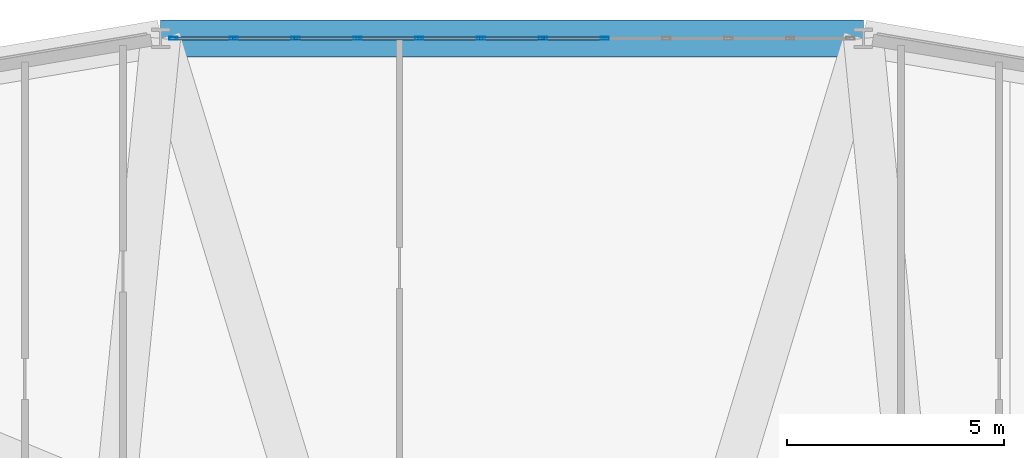
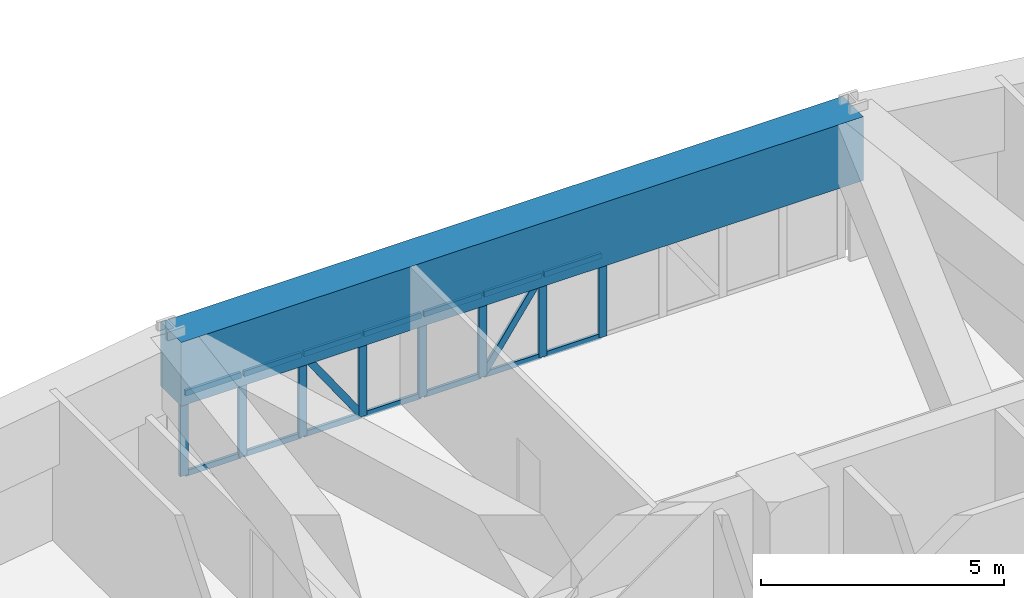
# One storey, part 11 of 20: 24 members, 1 beam, 1 element without a shape of its own.
"""IFC4 building model written with IfcOpenShell, lengths in metres."""

from ifc_helpers import new_model, si_unit, derived_unit, direction, frame, origin, origin_2d, place, context, subcontext, project, spatial, rectangle, hollow_rectangle, extrude, source, transform, mapped, material, layer, layer_set, material_profile, profile_set, type_object, element, aggregate, save


model = new_model("IFC4")

# Units and contexts
model_context = context("Model", 3, precision=1e-05, world=origin(), true_north=direction((0.0, 1.0)))
body_context = subcontext(model_context, "Body", "Model", "MODEL_VIEW")
ifc_project = project(units=[si_unit("LENGTHUNIT", "METRE"), si_unit("AREAUNIT", "SQUARE_METRE"), si_unit("VOLUMEUNIT", "CUBIC_METRE"), si_unit("PLANEANGLEUNIT", "RADIAN"), si_unit("MASSUNIT", "GRAM", prefix="KILO"), derived_unit("THERMALTRANSMITTANCEUNIT", [(si_unit("POWERUNIT", "WATT"), 1), (si_unit("LENGTHUNIT", "METRE"), -2), (si_unit("THERMODYNAMICTEMPERATUREUNIT", "KELVIN"), -1)])], contexts=[model_context])

# Site, building, storey
site_placement = place(None, origin())
site = spatial("IfcSite", under=ifc_project, at=site_placement, CompositionType="ELEMENT")
building_placement = place(site_placement, origin())
building = spatial("IfcBuilding", under=site, at=building_placement, Name="Korsvarv Bourse and Concert Hall", CompositionType="ELEMENT")
storey_placement = place(building_placement, frame((0.0, 0.0, 31.800048828125)))
storey = spatial("IfcBuildingStorey", under=building, at=storey_placement, Name="L07", CompositionType="ELEMENT", Elevation=31.800048828125)

# Beam
ifc_material_1 = material(Name="Concrete C55/67", Category="concrete")
ifc_material_profile_1 = material_profile(ifc_material_1, rectangle(XDim=0.85009765625, YDim=1.60009765625, at=origin_2d()), Name="RC-BM 850x1600")
ifc_profile_set_1 = profile_set([ifc_material_profile_1], Name="Concrete C55/67")
beam_type = type_object("IfcBeamType", Name="BM-TR1B", PredefinedType="BEAM", material=ifc_profile_set_1)
shared_shape_1 = source(origin(), body_context, "Body", "SweptSolid", [
    extrude(rectangle(XDim=0.85009765625, YDim=1.60009765625, at=origin_2d()), origin(), (0.0, 0.0, 1.0), 16.19482421875),
])
beam_placement = place(storey_placement, frame((44.097412109375, 57.9169921875, 2.8798828125), z_axis=(-1.0, 0.0, 0.0), x_axis=(0.0, -1.0, 0.0)))
element("IfcBeam", 1, at=beam_placement, inside=storey, type_object=beam_type, Name="L07 beam B-TR2", PredefinedType="BEAM", context=body_context, shape_type="MappedRepresentation", body=[
    mapped(shared_shape_1, transform((0.0, 0.0, 0.0), scale=1.0)),
])

# Curtain wall, members
ifc_material_2 = material(Name="Anodised aluminium and triple low-E glazing", Category="glass")
ifc_layer = layer(ifc_material_2, 0.219970703125)
ifc_layer_set = layer_set([ifc_layer], Name="Anodised aluminium and triple low-E glazing")
curtain_wall_type = type_object("IfcCurtainWallType", Name="CW-SYS-1", PredefinedType="NOTDEFINED", material=ifc_layer_set)
curtain_wall_placement = place(storey_placement, origin())
curtain_wall = element("IfcCurtainWall", 2, at=curtain_wall_placement, inside=storey, type_object=curtain_wall_type, Name="L07 CW1 curtain wall CW-L07-F03", PredefinedType="NOTDEFINED")
ifc_material_3 = material(Name="Extruded aluminium EN AW-6063 T66", Category="aluminium")
ifc_material_profile_2 = material_profile(ifc_material_3, hollow_rectangle(XDim=0.070068359375, YDim=0.18994140625, WallThickness=0.0048828125, at=origin_2d()), Name="ALU-M 70x190")
ifc_profile_set_2 = profile_set([ifc_material_profile_2], Name="Extruded aluminium EN AW-6063 T66")
member_type_1 = type_object("IfcMemberType", Name="CWM-190", PredefinedType="MULLION", material=ifc_profile_set_2)
shared_shape_2 = source(origin(), body_context, "Body", "SweptSolid", [
    extrude(hollow_rectangle(XDim=0.070068359375, YDim=0.18994140625, WallThickness=0.0048828125, at=origin_2d()), origin(), (0.0, 0.0, 1.0), 2.079833984375),
])
member_1_placement = place(storey_placement, frame((38.136962890625, 57.9169921875, 0.0), z_axis=(0.0, 0.0, 1.0), x_axis=(0.0, -1.0, 0.0)))
member_1 = element("IfcMember", 3, at=member_1_placement, type_object=member_type_1, Name="CW1 mullion 5", PredefinedType="MULLION", context=body_context, shape_type="MappedRepresentation", body=[
    mapped(shared_shape_2, transform((0.0, 0.0, 0.0), scale=1.0)),
])
member_2_placement = place(storey_placement, frame((36.71240234375, 57.9169921875, 0.0), z_axis=(0.0, 0.0, 1.0), x_axis=(0.0, -1.0, 0.0)))
member_2 = element("IfcMember", 4, at=member_2_placement, type_object=member_type_1, Name="CW1 mullion 6", PredefinedType="MULLION", context=body_context, shape_type="MappedRepresentation", body=[
    mapped(shared_shape_2, transform((0.0, 0.0, 0.0), scale=1.0)),
])
member_3_placement = place(storey_placement, frame((35.28759765625, 57.9169921875, 0.0), z_axis=(0.0, 0.0, 1.0), x_axis=(0.0, -1.0, 0.0)))
member_3 = element("IfcMember", 5, at=member_3_placement, type_object=member_type_1, Name="CW1 mullion 7", PredefinedType="MULLION", context=body_context, shape_type="MappedRepresentation", body=[
    mapped(shared_shape_2, transform((0.0, 0.0, 0.0), scale=1.0)),
])
member_4_placement = place(storey_placement, frame((33.863037109375, 57.9169921875, 0.0), z_axis=(0.0, 0.0, 1.0), x_axis=(0.0, -1.0, 0.0)))
member_4 = element("IfcMember", 6, at=member_4_placement, type_object=member_type_1, Name="CW1 mullion 8", PredefinedType="MULLION", context=body_context, shape_type="MappedRepresentation", body=[
    mapped(shared_shape_2, transform((0.0, 0.0, 0.0), scale=1.0)),
])
member_5_placement = place(storey_placement, frame((32.4384765625, 57.9169921875, 0.0), z_axis=(0.0, 0.0, 1.0), x_axis=(0.0, -1.0, 0.0)))
member_5 = element("IfcMember", 7, at=member_5_placement, type_object=member_type_1, Name="CW1 mullion 9", PredefinedType="MULLION", context=body_context, shape_type="MappedRepresentation", body=[
    mapped(shared_shape_2, transform((0.0, 0.0, 0.0), scale=1.0)),
])
member_6_placement = place(storey_placement, frame((31.013671875, 57.9169921875, 0.0), z_axis=(0.0, 0.0, 1.0), x_axis=(0.0, -1.0, 0.0)))
member_6 = element("IfcMember", 8, at=member_6_placement, type_object=member_type_1, Name="CW1 mullion 10", PredefinedType="MULLION", context=body_context, shape_type="MappedRepresentation", body=[
    mapped(shared_shape_2, transform((0.0, 0.0, 0.0), scale=1.0)),
])
member_7_placement = place(storey_placement, frame((29.589111328125, 57.9169921875, 0.0), z_axis=(0.0, 0.0, 1.0), x_axis=(0.0, -1.0, 0.0)))
member_7 = element("IfcMember", 9, at=member_7_placement, type_object=member_type_1, Name="CW1 mullion 11", PredefinedType="MULLION", context=body_context, shape_type="MappedRepresentation", body=[
    mapped(shared_shape_2, transform((0.0, 0.0, 0.0), scale=1.0)),
])
member_8_placement = place(storey_placement, frame((28.199462890625, 57.9169921875, 0.0), z_axis=(0.0, 0.0, 1.0), x_axis=(0.0, -1.0, 0.0)))
member_8 = element("IfcMember", 10, at=member_8_placement, type_object=member_type_1, Name="CW1 mullion 12", PredefinedType="MULLION", context=body_context, shape_type="MappedRepresentation", body=[
    mapped(shared_shape_2, transform((0.0, 0.0, 0.0), scale=1.0)),
])
ifc_material_profile_3 = material_profile(ifc_material_3, hollow_rectangle(XDim=0.06494140625, YDim=0.139892578125, WallThickness=0.00390625, at=origin_2d()), Name="ALU-T 65x140")
ifc_profile_set_3 = profile_set([ifc_material_profile_3], Name="Extruded aluminium EN AW-6063 T66")
member_type_2 = type_object("IfcMemberType", Name="CWT-140", PredefinedType="USERDEFINED", material=ifc_profile_set_3)
shared_shape_3 = source(origin(), body_context, "Body", "SweptSolid", [
    extrude(hollow_rectangle(XDim=0.06494140625, YDim=0.139892578125, WallThickness=0.00390625, at=origin_2d()), origin(), (0.0, 0.0, 1.0), 1.319580078125),
])
member_9_placement = place(storey_placement, frame((29.55419921875, 57.9169921875, 0.032470703125), z_axis=(-1.0, 0.0, 0.0), x_axis=(0.0, -1.0, 0.0)))
member_9 = element("IfcMember", 11, at=member_9_placement, type_object=member_type_2, Name="CW1 transom 11.1", ObjectType="TRANSOM", PredefinedType="USERDEFINED", context=body_context, shape_type="MappedRepresentation", body=[
    mapped(shared_shape_3, transform((0.0, 0.0, 0.0), scale=1.0)),
])
member_10_placement = place(storey_placement, frame((29.55419921875, 57.9169921875, 2.04736328125), z_axis=(-1.0, 0.0, 0.0), x_axis=(0.0, -1.0, 0.0)))
member_10 = element("IfcMember", 12, at=member_10_placement, type_object=member_type_2, Name="CW1 transom 11.2", ObjectType="TRANSOM", PredefinedType="USERDEFINED", context=body_context, shape_type="MappedRepresentation", body=[
    mapped(shared_shape_3, transform((0.0, 0.0, 0.0), scale=1.0)),
])
shared_shape_4 = source(origin(), body_context, "Body", "SweptSolid", [
    extrude(hollow_rectangle(XDim=0.06494140625, YDim=0.139892578125, WallThickness=0.00390625, at=origin_2d()), origin(), (0.0, 0.0, 1.0), 1.354736328125),
])
member_11_placement = place(storey_placement, frame((38.10205078125, 57.9169921875, 0.032470703125), z_axis=(-1.0, 0.0, 0.0), x_axis=(0.0, -1.0, 0.0)))
member_11 = element("IfcMember", 13, at=member_11_placement, type_object=member_type_2, Name="CW1 transom 5.1", ObjectType="TRANSOM", PredefinedType="USERDEFINED", context=body_context, shape_type="MappedRepresentation", body=[
    mapped(shared_shape_4, transform((0.0, 0.0, 0.0), scale=1.0)),
])
member_12_placement = place(storey_placement, frame((38.10205078125, 57.9169921875, 2.04736328125), z_axis=(-1.0, 0.0, 0.0), x_axis=(0.0, -1.0, 0.0)))
member_12 = element("IfcMember", 14, at=member_12_placement, type_object=member_type_2, Name="CW1 transom 5.2", ObjectType="TRANSOM", PredefinedType="USERDEFINED", context=body_context, shape_type="MappedRepresentation", body=[
    mapped(shared_shape_4, transform((0.0, 0.0, 0.0), scale=1.0)),
])
member_13_placement = place(storey_placement, frame((35.252685546875, 57.9169921875, 0.032470703125), z_axis=(-1.0, 0.0, 0.0), x_axis=(0.0, -1.0, 0.0)))
member_13 = element("IfcMember", 15, at=member_13_placement, type_object=member_type_2, Name="CW1 transom 7.1", ObjectType="TRANSOM", PredefinedType="USERDEFINED", context=body_context, shape_type="MappedRepresentation", body=[
    mapped(shared_shape_4, transform((0.0, 0.0, 0.0), scale=1.0)),
])
member_14_placement = place(storey_placement, frame((35.252685546875, 57.9169921875, 2.04736328125), z_axis=(-1.0, 0.0, 0.0), x_axis=(0.0, -1.0, 0.0)))
member_14 = element("IfcMember", 16, at=member_14_placement, type_object=member_type_2, Name="CW1 transom 7.2", ObjectType="TRANSOM", PredefinedType="USERDEFINED", context=body_context, shape_type="MappedRepresentation", body=[
    mapped(shared_shape_4, transform((0.0, 0.0, 0.0), scale=1.0)),
])
member_15_placement = place(storey_placement, frame((33.828125, 57.9169921875, 0.032470703125), z_axis=(-1.0, 0.0, 0.0), x_axis=(0.0, -1.0, 0.0)))
member_15 = element("IfcMember", 17, at=member_15_placement, type_object=member_type_2, Name="CW1 transom 8.1", ObjectType="TRANSOM", PredefinedType="USERDEFINED", context=body_context, shape_type="MappedRepresentation", body=[
    mapped(shared_shape_4, transform((0.0, 0.0, 0.0), scale=1.0)),
])
member_16_placement = place(storey_placement, frame((33.828125, 57.9169921875, 2.04736328125), z_axis=(-1.0, 0.0, 0.0), x_axis=(0.0, -1.0, 0.0)))
member_16 = element("IfcMember", 18, at=member_16_placement, type_object=member_type_2, Name="CW1 transom 8.2", ObjectType="TRANSOM", PredefinedType="USERDEFINED", context=body_context, shape_type="MappedRepresentation", body=[
    mapped(shared_shape_4, transform((0.0, 0.0, 0.0), scale=1.0)),
])
member_17_placement = place(storey_placement, frame((30.978759765625, 57.9169921875, 0.032470703125), z_axis=(-1.0, 0.0, 0.0), x_axis=(0.0, -1.0, 0.0)))
member_17 = element("IfcMember", 19, at=member_17_placement, type_object=member_type_2, Name="CW1 transom 10.1", ObjectType="TRANSOM", PredefinedType="USERDEFINED", context=body_context, shape_type="MappedRepresentation", body=[
    mapped(shared_shape_4, transform((0.0, 0.0, 0.0), scale=1.0)),
])
member_18_placement = place(storey_placement, frame((30.978759765625, 57.9169921875, 2.04736328125), z_axis=(-1.0, 0.0, 0.0), x_axis=(0.0, -1.0, 0.0)))
member_18 = element("IfcMember", 20, at=member_18_placement, type_object=member_type_2, Name="CW1 transom 10.2", ObjectType="TRANSOM", PredefinedType="USERDEFINED", context=body_context, shape_type="MappedRepresentation", body=[
    mapped(shared_shape_4, transform((0.0, 0.0, 0.0), scale=1.0)),
])
shared_shape_5 = source(origin(), body_context, "Body", "SweptSolid", [
    extrude(hollow_rectangle(XDim=0.06494140625, YDim=0.139892578125, WallThickness=0.00390625, at=origin_2d()), origin(), (0.0, 0.0, 1.0), 1.3544921875),
])
member_19_placement = place(storey_placement, frame((36.67724609375, 57.9169921875, 0.032470703125), z_axis=(-1.0, 0.0, 0.0), x_axis=(0.0, -1.0, 0.0)))
member_19 = element("IfcMember", 21, at=member_19_placement, type_object=member_type_2, Name="CW1 transom 6.1", ObjectType="TRANSOM", PredefinedType="USERDEFINED", context=body_context, shape_type="MappedRepresentation", body=[
    mapped(shared_shape_5, transform((0.0, 0.0, 0.0), scale=1.0)),
])
member_20_placement = place(storey_placement, frame((36.67724609375, 57.9169921875, 2.04736328125), z_axis=(-1.0, 0.0, 0.0), x_axis=(0.0, -1.0, 0.0)))
member_20 = element("IfcMember", 22, at=member_20_placement, type_object=member_type_2, Name="CW1 transom 6.2", ObjectType="TRANSOM", PredefinedType="USERDEFINED", context=body_context, shape_type="MappedRepresentation", body=[
    mapped(shared_shape_5, transform((0.0, 0.0, 0.0), scale=1.0)),
])
member_21_placement = place(storey_placement, frame((32.4033203125, 57.9169921875, 0.032470703125), z_axis=(-1.0, 0.0, 0.0), x_axis=(0.0, -1.0, 0.0)))
member_21 = element("IfcMember", 23, at=member_21_placement, type_object=member_type_2, Name="CW1 transom 9.1", ObjectType="TRANSOM", PredefinedType="USERDEFINED", context=body_context, shape_type="MappedRepresentation", body=[
    mapped(shared_shape_5, transform((0.0, 0.0, 0.0), scale=1.0)),
])
member_22_placement = place(storey_placement, frame((32.4033203125, 57.9169921875, 2.04736328125), z_axis=(-1.0, 0.0, 0.0), x_axis=(0.0, -1.0, 0.0)))
member_22 = element("IfcMember", 24, at=member_22_placement, type_object=member_type_2, Name="CW1 transom 9.2", ObjectType="TRANSOM", PredefinedType="USERDEFINED", context=body_context, shape_type="MappedRepresentation", body=[
    mapped(shared_shape_5, transform((0.0, 0.0, 0.0), scale=1.0)),
])
ifc_material_profile_4 = material_profile(ifc_material_3, hollow_rectangle(XDim=0.06494140625, YDim=0.1650390625, WallThickness=0.0048828125, at=origin_2d()), Name="ALU-M 65x165")
ifc_profile_set_4 = profile_set([ifc_material_profile_4], Name="Extruded aluminium EN AW-6063 T66")
member_type_3 = type_object("IfcMemberType", Name="CWM-165", PredefinedType="MULLION", material=ifc_profile_set_4)
shared_shape_6 = source(origin(), body_context, "Body", "SweptSolid", [
    extrude(hollow_rectangle(XDim=0.06494140625, YDim=0.1650390625, WallThickness=0.0048828125, at=origin_2d()), origin(), (0.0, 0.0, 1.0), 2.374267578125),
])
member_23_placement = place(storey_placement, frame((35.32275390625, 57.9169921875, 0.06494140625), z_axis=(0.570497938684, 0.0, 0.821299033213), x_axis=(0.0, 1.0, 0.0)))
member_23 = element("IfcMember", 25, at=member_23_placement, type_object=member_type_3, Name="CW1 diagonal mullion 6", PredefinedType="MULLION", context=body_context, shape_type="MappedRepresentation", body=[
    mapped(shared_shape_6, transform((0.0, 0.0, 0.0), scale=1.0)),
])
member_24_placement = place(storey_placement, frame((32.4033203125, 57.9169921875, 0.06494140625), z_axis=(-0.570497938684, 0.0, 0.821299033213), x_axis=(0.0, -1.0, 0.0)))
member_24 = element("IfcMember", 26, at=member_24_placement, type_object=member_type_3, Name="CW1 diagonal mullion 9", PredefinedType="MULLION", context=body_context, shape_type="MappedRepresentation", body=[
    mapped(shared_shape_6, transform((0.0, 0.0, 0.0), scale=1.0)),
])
aggregate(curtain_wall, [member_1, member_2, member_3, member_4, member_5, member_6, member_7, member_8, member_11, member_12, member_19, member_20, member_23, member_13, member_14, member_15, member_16, member_21, member_22, member_24, member_17, member_18, member_9, member_10])

save(model, "model.ifc")
